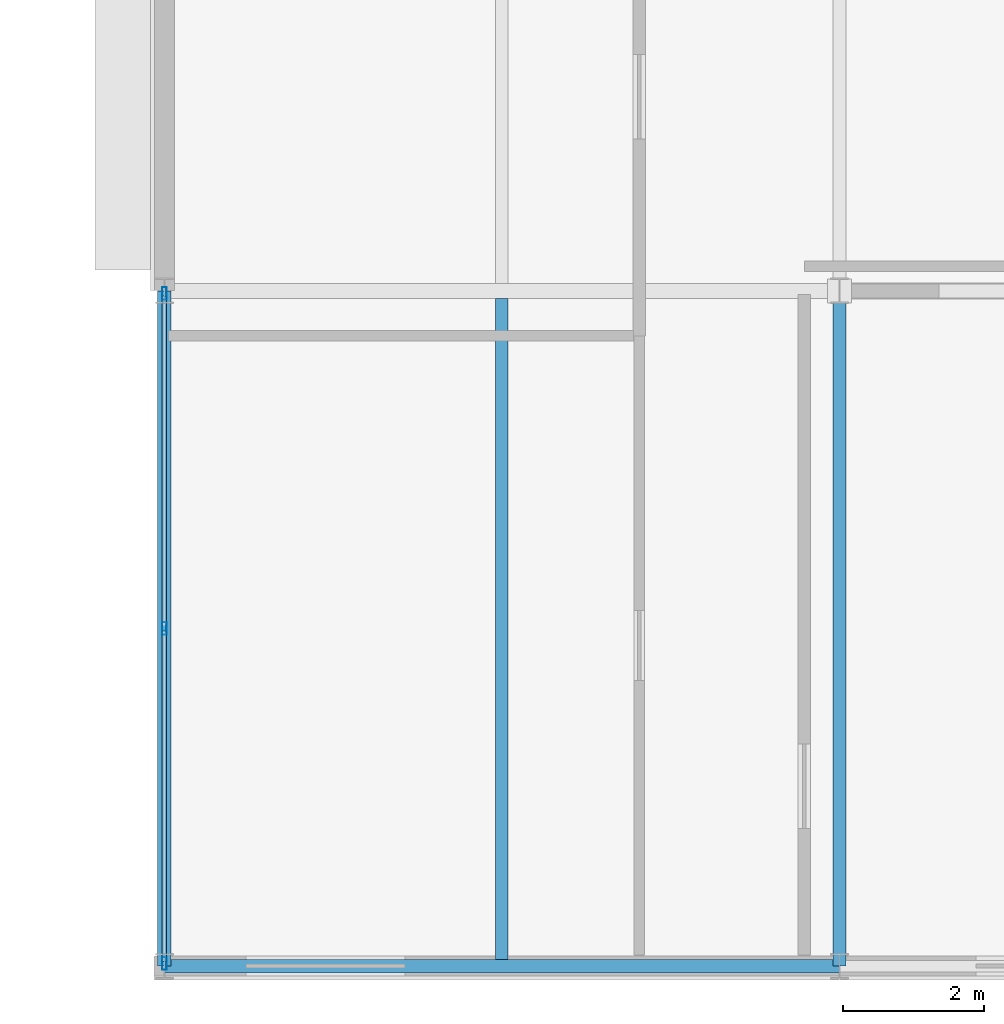
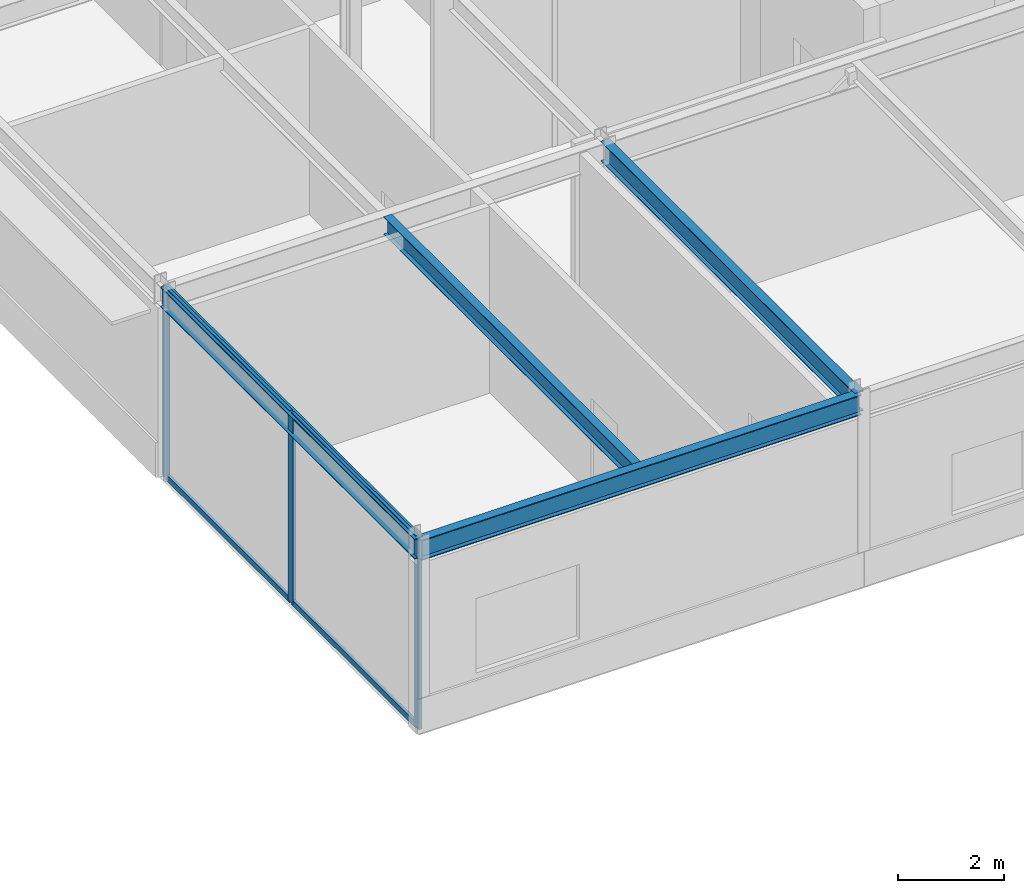
# One storey, part 3 of 22: 7 members, 4 beams, 1 element without a shape of its own.
"""IFC4 building model written with IfcOpenShell, lengths in metres."""

from ifc_helpers import new_model, si_unit, direction, frame, origin, origin_2d, place, context, subcontext, project, spatial, hollow_rectangle, i_section, extrude, material, material_profile, profile_set, type_object, element, aggregate, save


model = new_model("IFC4")

# Units and contexts
model_context = context("Model", 3, precision=1e-05, world=origin(), true_north=direction((0.0, 1.0)))
body_context = subcontext(model_context, "Body", "Model", "MODEL_VIEW")
ifc_project = project(units=[si_unit("LENGTHUNIT", "METRE"), si_unit("AREAUNIT", "SQUARE_METRE"), si_unit("VOLUMEUNIT", "CUBIC_METRE"), si_unit("PLANEANGLEUNIT", "RADIAN"), si_unit("MASSUNIT", "GRAM", prefix="KILO")], contexts=[model_context])

# Site, building, storey
site_placement = place(None, origin())
site = spatial("IfcSite", under=ifc_project, at=site_placement, CompositionType="ELEMENT")
building_placement = place(site_placement, origin())
building = spatial("IfcBuilding", under=site, at=building_placement, Name="Almandine Court Research Institute", CompositionType="ELEMENT")
storey_placement = place(building_placement, frame((0.0, 0.0, 28.0)))
storey = spatial("IfcBuildingStorey", under=building, at=storey_placement, Name="L06", CompositionType="ELEMENT", Elevation=28.0)

# Beams
ifc_material_1 = material(Name="Steel ASTM A992 Grade 50", Category="steel")
ifc_material_profile_1 = material_profile(ifc_material_1, i_section(OverallWidth=0.18994140625, OverallDepth=0.45703125, WebThickness=0.009033203125, FlangeThickness=0.014892578125, at=origin_2d()), Name="W460x74")
ifc_profile_set_1 = profile_set([ifc_material_profile_1], Name="Steel ASTM A992 Grade 50")
beam_type_1 = type_object("IfcBeamType", Name="Beam-B-01", PredefinedType="BEAM", material=ifc_profile_set_1)
for number, where, z_axis, x_axis, name in (
    (1, (153.60009765625, 6.0, 4.156982421875), (0.0, 1.0, 0.0), (-1.0, 0.0, 0.0), "L06 V4 Primary Y Girder"),
    (2, (163.199951171875, 6.0, 4.156982421875), (0.0, 1.0, 0.0), (-1.0, 0.0, 0.0), "L06 V4 Primary Y Girder"),
):
    element("IfcBeam", number, at=place(storey_placement, frame(where, z_axis=z_axis, x_axis=x_axis)), inside=storey, type_object=beam_type_1, Name=name, PredefinedType="BEAM", context=body_context, shape_type="SweptSolid", body=[
        extrude(i_section(OverallWidth=0.18994140625, OverallDepth=0.45703125, WebThickness=0.009033203125, FlangeThickness=0.014892578125, at=origin_2d()), origin(), (0.0, 0.0, 1.0), 9.60009765625),
    ])
ifc_material_profile_2 = material_profile(ifc_material_1, i_section(OverallWidth=0.178955078125, OverallDepth=0.409912109375, WebThickness=0.009033203125, FlangeThickness=0.013916015625, at=origin_2d()), Name="W410x67")
ifc_profile_set_2 = profile_set([ifc_material_profile_2], Name="Steel ASTM A992 Grade 50")
beam_type_2 = type_object("IfcBeamType", Name="Beam-B-02", PredefinedType="JOIST", material=ifc_profile_set_2)
beam_1_placement = place(storey_placement, frame((158.39990234375, 6.094970703125, 4.179931640625), z_axis=(0.0, 1.0, 0.0), x_axis=(-1.0, 0.0, 0.0)))
element("IfcBeam", 3, at=beam_1_placement, inside=storey, type_object=beam_type_2, Name="L06 V4 Composite Secondary Beam", PredefinedType="JOIST", context=body_context, shape_type="SweptSolid", body=[
    extrude(i_section(OverallWidth=0.178955078125, OverallDepth=0.409912109375, WebThickness=0.009033203125, FlangeThickness=0.013916015625, at=origin_2d()), origin(), (0.0, 0.0, 1.0), 9.401123046875),
])
ifc_material_profile_3 = material_profile(ifc_material_1, i_section(OverallWidth=0.193115234375, OverallDepth=0.466064453125, WebThickness=0.010986328125, FlangeThickness=0.01904296875, at=origin_2d()), Name="W460x97")
ifc_profile_set_3 = profile_set([ifc_material_profile_3], Name="Steel ASTM A992 Grade 50")
beam_type_3 = type_object("IfcBeamType", Name="Beam-G-06-E", PredefinedType="SPANDREL", material=ifc_profile_set_3)
beam_2_placement = place(storey_placement, frame((153.60009765625, 6.0, 4.152099609375), z_axis=(1.0, 0.0, 0.0), x_axis=(0.0, 1.0, 0.0)))
element("IfcBeam", 4, at=beam_2_placement, inside=storey, type_object=beam_type_3, Name="L06 V4 Primary X Girder", PredefinedType="SPANDREL", context=body_context, shape_type="SweptSolid", body=[
    extrude(i_section(OverallWidth=0.193115234375, OverallDepth=0.466064453125, WebThickness=0.010986328125, FlangeThickness=0.01904296875, at=origin_2d()), origin(), (0.0, 0.0, 1.0), 9.599853515625),
])

# Curtain wall, members
ifc_material_2 = material(Name="Unitised Curtain Wall Framing and Solar Glazing", Category="glass")
curtain_wall_type = type_object("IfcCurtainWallType", Name="CW-CWJ-02", PredefinedType="USERDEFINED", material=ifc_material_2)
curtain_wall_placement = place(storey_placement, origin())
curtain_wall = element("IfcCurtainWall", 5, at=curtain_wall_placement, inside=storey, type_object=curtain_wall_type, Name="L06 Wet Lab West Courtyard Jali Curtain Wall 1", ObjectType="SOLAR JALI SCREEN", PredefinedType="USERDEFINED")
ifc_material_3 = material(Name="Anodised Aluminium AW-6063-T6", Category="aluminium")
ifc_material_profile_4 = material_profile(ifc_material_3, hollow_rectangle(XDim=0.06494140625, YDim=0.179931640625, WallThickness=0.00390625, at=origin_2d()), Name="ALU RHS 65x180x4")
ifc_profile_set_4 = profile_set([ifc_material_profile_4], Name="Anodised Aluminium AW-6063-T6")
member_type_1 = type_object("IfcMemberType", Name="CWMul-65x180", PredefinedType="MULLION", material=ifc_profile_set_4)
member_1_placement = place(storey_placement, frame((153.60009765625, 6.03662109375, 0.0), z_axis=(0.0, 0.0, 1.0), x_axis=(-1.0, 0.0, 0.0)))
member_1 = element("IfcMember", 6, at=member_1_placement, type_object=member_type_1, Name="CWJ-02 mullion 1", PredefinedType="MULLION", context=body_context, shape_type="SweptSolid", body=[
    extrude(hollow_rectangle(XDim=0.06494140625, YDim=0.179931640625, WallThickness=0.00390625, at=origin_2d()), origin(), (0.0, 0.0, 1.0), 4.3701171875),
])
member_2_placement = place(storey_placement, frame((153.60009765625, 10.800048828125, 0.0), z_axis=(0.0, 0.0, 1.0), x_axis=(-1.0, 0.0, 0.0)))
member_2 = element("IfcMember", 7, at=member_2_placement, type_object=member_type_1, Name="CWJ-02 mullion 2", PredefinedType="MULLION", context=body_context, shape_type="SweptSolid", body=[
    extrude(hollow_rectangle(XDim=0.06494140625, YDim=0.179931640625, WallThickness=0.00390625, at=origin_2d()), origin(), (0.0, 0.0, 1.0), 4.3701171875),
])
member_3_placement = place(storey_placement, frame((153.60009765625, 15.5634765625, 0.0), z_axis=(0.0, 0.0, 1.0), x_axis=(-1.0, 0.0, 0.0)))
member_3 = element("IfcMember", 8, at=member_3_placement, type_object=member_type_1, Name="CWJ-02 mullion 3", PredefinedType="MULLION", context=body_context, shape_type="SweptSolid", body=[
    extrude(hollow_rectangle(XDim=0.06494140625, YDim=0.179931640625, WallThickness=0.00390625, at=origin_2d()), origin(), (0.0, 0.0, 1.0), 4.3701171875),
])
ifc_material_profile_5 = material_profile(ifc_material_3, hollow_rectangle(XDim=0.06494140625, YDim=0.1298828125, WallThickness=0.00390625, at=origin_2d()), Name="ALU RHS 65x130x4")
ifc_profile_set_5 = profile_set([ifc_material_profile_5], Name="Anodised Aluminium AW-6063-T6")
member_type_2 = type_object("IfcMemberType", Name="CWTrn-65x130", PredefinedType="NOTDEFINED", material=ifc_profile_set_5)
member_4_placement = place(storey_placement, frame((153.60009765625, 6.069091796875, 0.032470703125), z_axis=(0.0, 1.0, 0.0), x_axis=(-1.0, 0.0, 0.0)))
member_4 = element("IfcMember", 9, at=member_4_placement, type_object=member_type_2, Name="CWJ-02 transom 1.1", ObjectType="TRANSOM", PredefinedType="USERDEFINED", context=body_context, shape_type="SweptSolid", body=[
    extrude(hollow_rectangle(XDim=0.06494140625, YDim=0.1298828125, WallThickness=0.00390625, at=origin_2d()), origin(), (0.0, 0.0, 1.0), 4.698486328125),
])
member_5_placement = place(storey_placement, frame((153.60009765625, 6.069091796875, 4.33740234375), z_axis=(0.0, 1.0, 0.0), x_axis=(-1.0, 0.0, 0.0)))
member_5 = element("IfcMember", 10, at=member_5_placement, type_object=member_type_2, Name="CWJ-02 transom 1.2", ObjectType="TRANSOM", PredefinedType="USERDEFINED", context=body_context, shape_type="SweptSolid", body=[
    extrude(hollow_rectangle(XDim=0.06494140625, YDim=0.1298828125, WallThickness=0.00390625, at=origin_2d()), origin(), (0.0, 0.0, 1.0), 4.698486328125),
])
member_6_placement = place(storey_placement, frame((153.60009765625, 10.83251953125, 0.032470703125), z_axis=(0.0, 1.0, 0.0), x_axis=(-1.0, 0.0, 0.0)))
member_6 = element("IfcMember", 11, at=member_6_placement, type_object=member_type_2, Name="CWJ-02 transom 2.1", ObjectType="TRANSOM", PredefinedType="USERDEFINED", context=body_context, shape_type="SweptSolid", body=[
    extrude(hollow_rectangle(XDim=0.06494140625, YDim=0.1298828125, WallThickness=0.00390625, at=origin_2d()), origin(), (0.0, 0.0, 1.0), 4.698486328125),
])
member_7_placement = place(storey_placement, frame((153.60009765625, 10.83251953125, 4.33740234375), z_axis=(0.0, 1.0, 0.0), x_axis=(-1.0, 0.0, 0.0)))
member_7 = element("IfcMember", 12, at=member_7_placement, type_object=member_type_2, Name="CWJ-02 transom 2.2", ObjectType="TRANSOM", PredefinedType="USERDEFINED", context=body_context, shape_type="SweptSolid", body=[
    extrude(hollow_rectangle(XDim=0.06494140625, YDim=0.1298828125, WallThickness=0.00390625, at=origin_2d()), origin(), (0.0, 0.0, 1.0), 4.698486328125),
])
aggregate(curtain_wall, [member_1, member_2, member_3, member_4, member_5, member_6, member_7])

save(model, "model.ifc")
